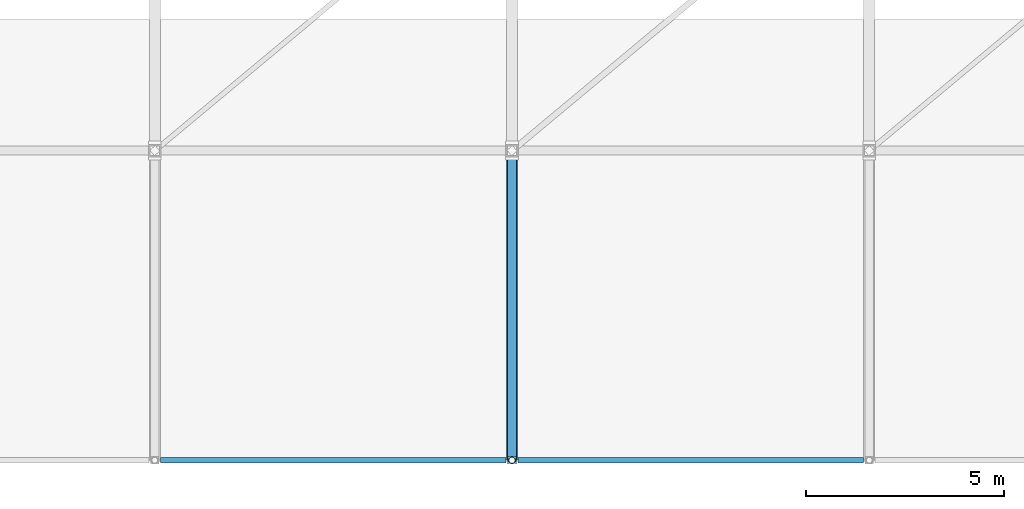
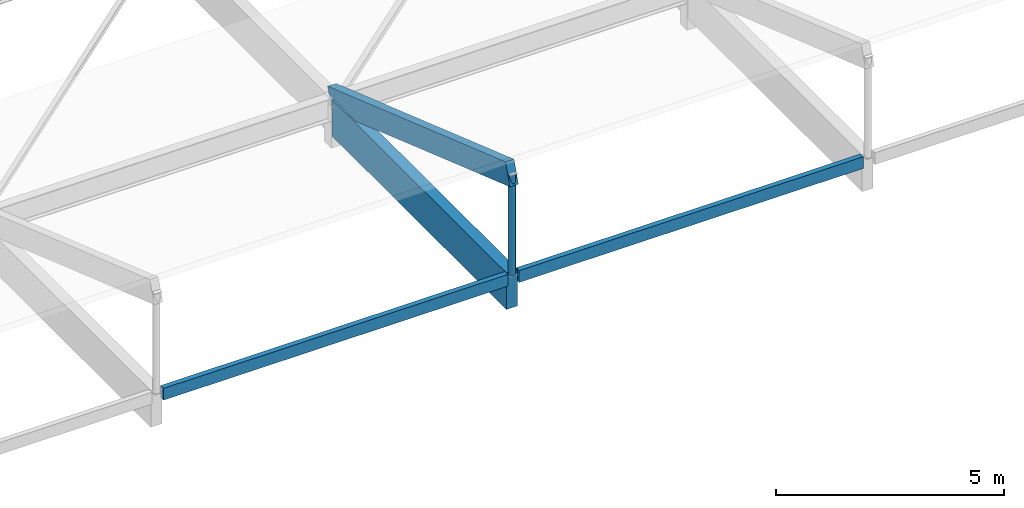
# One storey, part 5 of 19: 3 beams, 2 members.
"""IFC4 building model written with IfcOpenShell, lengths in metres."""

from ifc_helpers import new_model, si_unit, direction, frame, origin, origin_2d, place, context, subcontext, project, spatial, rectangle, hollow_circle, extrude, material, material_profile, profile_set, type_object, element, save


model = new_model("IFC4")

# Units and contexts
model_context = context("Model", 3, precision=1e-05, world=origin(), true_north=direction((0.0, 1.0)))
body_context = subcontext(model_context, "Body", "Model", "MODEL_VIEW")
ifc_project = project(units=[si_unit("LENGTHUNIT", "METRE"), si_unit("AREAUNIT", "SQUARE_METRE"), si_unit("VOLUMEUNIT", "CUBIC_METRE"), si_unit("PLANEANGLEUNIT", "RADIAN"), si_unit("MASSUNIT", "GRAM", prefix="KILO")], contexts=[model_context])

# Site, building, storey
site_placement = place(None, origin())
site = spatial("IfcSite", under=ifc_project, at=site_placement, CompositionType="ELEMENT")
building_placement = place(site_placement, origin())
building = spatial("IfcBuilding", under=site, at=building_placement, Name="Marnridge Secondary College", CompositionType="ELEMENT")
storey_placement = place(building_placement, frame((0.0, 0.0, 23.699951171875)))
storey = spatial("IfcBuildingStorey", under=building, at=storey_placement, Name="Roof Level", CompositionType="ELEMENT", Elevation=23.699951171875)

# Beams
ifc_material_1 = material(Name="Glulam timber GL18", Category="wood")
ifc_material_profile_1 = material_profile(ifc_material_1, rectangle(XDim=0.1298828125, YDim=0.31494140625, at=origin_2d()), Name="GL18 130x315")
ifc_profile_set_1 = profile_set([ifc_material_profile_1], Name="Glulam timber GL18")
beam_type_1 = type_object("IfcBeamType", Name="BM-GL315-EXT", PredefinedType="BEAM", material=ifc_profile_set_1)
for number, where, z_axis, x_axis, name in (
    (1, (63.14501953125, 44.699951171875, 1.142578125), (1.0, 0.0, 0.0), (0.0, 1.0, 0.0), "Beam BCAN-Roo-1506"),
    (2, (72.14501953125, 44.699951171875, 1.142578125), (1.0, 0.0, 0.0), (0.0, 1.0, 0.0), "Beam BCAN-Roo-1507"),
):
    element("IfcBeam", number, at=place(storey_placement, frame(where, z_axis=z_axis, x_axis=x_axis)), inside=storey, type_object=beam_type_1, Name=name, PredefinedType="BEAM", context=body_context, shape_type="SweptSolid", body=[
        extrude(rectangle(XDim=0.1298828125, YDim=0.31494140625, at=origin_2d()), origin(), (0.0, 0.0, 1.0), 8.7099609375),
    ])
ifc_material_2 = material(Name="Glulam timber GL18", Category="wood")
ifc_material_profile_2 = material_profile(ifc_material_2, rectangle(XDim=0.280029296875, YDim=0.97998046875, at=origin_2d()), Name="GL18 280x980")
ifc_profile_set_2 = profile_set([ifc_material_profile_2], Name="Glulam timber GL18")
beam_type_2 = type_object("IfcBeamType", Name="BM-GL980-EXT", PredefinedType="BEAM", material=ifc_profile_set_2)
beam_placement = place(storey_placement, frame((72.0, 52.348388671875, 0.81005859375), z_axis=(0.0, -1.0, 0.0), x_axis=(1.0, 0.0, 0.0)))
element("IfcBeam", 3, at=beam_placement, inside=storey, type_object=beam_type_2, Name="Beam BCAN-Roo-1493", PredefinedType="BEAM", context=body_context, shape_type="SweptSolid", body=[
    extrude(rectangle(XDim=0.280029296875, YDim=0.97998046875, at=origin_2d()), origin(), (0.0, 0.0, 1.0), 7.6484375),
])

# Members
ifc_material_3 = material(Name="Cold-formed steel Grade C350L0 (AS/NZS 1163, fy = 350 MPa)", Category="steel")
ifc_material_profile_3 = material_profile(ifc_material_3, hollow_circle(Radius=0.084228515625, WallThickness=0.00634765625, at=origin_2d()), Name="168.3x6.4CHS")
ifc_profile_set_3 = profile_set([ifc_material_profile_3], Name="Cold-formed steel Grade C350L0 (AS/NZS 1163, fy = 350 MPa)")
member_type_1 = type_object("IfcMemberType", Name="MB-BR-CHS168E", PredefinedType="BRACE", material=ifc_profile_set_3)
member_1_placement = place(storey_placement, frame((72.0, 44.699951171875, 1.219970703125), z_axis=(0.0, 0.0, 1.0), x_axis=(1.0, 0.0, 0.0)))
element("IfcMember", 4, at=member_1_placement, inside=storey, type_object=member_type_1, Name="Canopy eave web strut MCAN-005", PredefinedType="BRACE", context=body_context, shape_type="SweptSolid", body=[
    extrude(hollow_circle(Radius=0.084228515625, WallThickness=0.00634765625, at=origin_2d()), origin(), (0.0, 0.0, 1.0), 2.705078125),
])
ifc_material_4 = material(Name="Glulam timber GL18", Category="wood")
ifc_material_profile_4 = material_profile(ifc_material_4, rectangle(XDim=0.215087890625, YDim=0.5849609375, at=origin_2d()), Name="GL18 215x585")
ifc_profile_set_4 = profile_set([ifc_material_profile_4], Name="Glulam timber GL18")
member_type_2 = type_object("IfcMemberType", Name="MB-GS-GL585", PredefinedType="CHORD", material=ifc_profile_set_4)
member_2_placement = place(storey_placement, frame((72.0, 52.5, 1.219970703125), z_axis=(0.0, -0.944796411745, 0.327657962444), x_axis=(1.0, 0.0, 0.0)))
element("IfcMember", 5, at=member_2_placement, inside=storey, type_object=member_type_2, Name="Canopy overhang truss chord MCR-005", PredefinedType="CHORD", context=body_context, shape_type="SweptSolid", body=[
    extrude(rectangle(XDim=0.215087890625, YDim=0.5849609375, at=origin_2d()), origin(), (0.0, 0.0, 1.0), 8.255859375),
])

save(model, "model.ifc")
